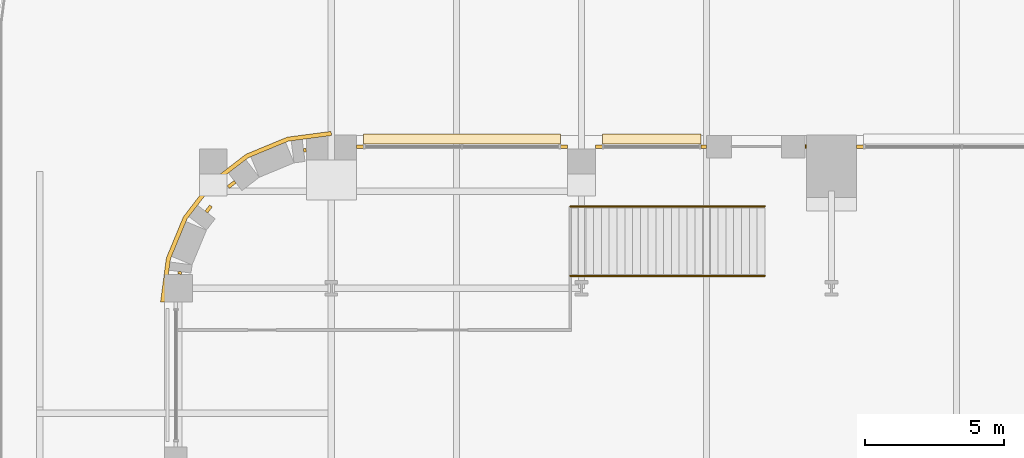
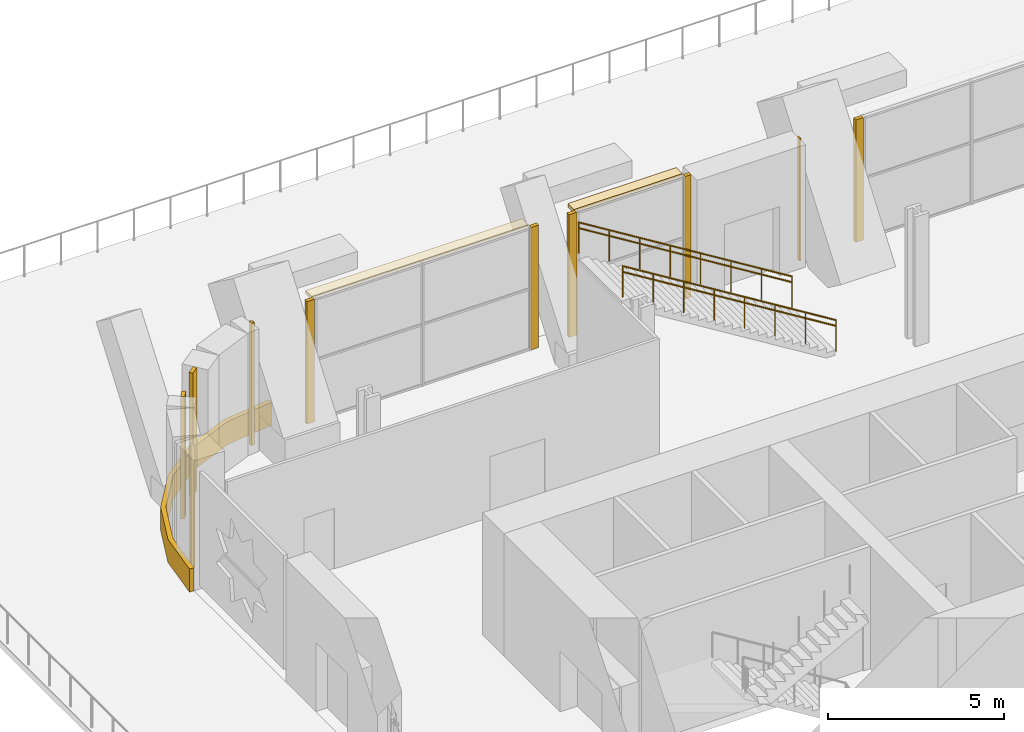
# One storey, part 22 of 26: 13 coverings, 4 railings.
"""IFC4 building model written with IfcOpenShell, lengths in metres."""

from ifc_helpers import new_model, si_unit, direction, frame, origin, origin_2d, place, context, subcontext, project, spatial, polyline, rectangle, circle, outline, extrude, material, layer, layer_set, type_object, element, save


model = new_model("IFC4")

# Units and contexts
model_context = context("Model", 3, precision=1e-05, world=origin(), true_north=direction((0.0, 1.0)))
body_context = subcontext(model_context, "Body", "Model", "MODEL_VIEW")
ifc_project = project(units=[si_unit("LENGTHUNIT", "METRE"), si_unit("AREAUNIT", "SQUARE_METRE"), si_unit("VOLUMEUNIT", "CUBIC_METRE"), si_unit("PLANEANGLEUNIT", "RADIAN"), si_unit("MASSUNIT", "GRAM", prefix="KILO")], contexts=[model_context])

# Site, building, storey
site_placement = place(None, origin())
site = spatial("IfcSite", under=ifc_project, at=site_placement, CompositionType="ELEMENT")
building_placement = place(site_placement, origin())
building = spatial("IfcBuilding", under=site, at=building_placement, Name="Zellij Exchange Tower", CompositionType="ELEMENT")
storey_placement = place(building_placement, frame((0.0, 0.0, 39.0)))
storey = spatial("IfcBuildingStorey", under=building, at=storey_placement, Name="L06", CompositionType="ELEMENT", Elevation=39.0)

# Coverings
ifc_material_1 = material(Name="Limestone cladding", Category="masonry")
ifc_layer_1 = layer(ifc_material_1, 0.14990234375)
ifc_layer_set_1 = layer_set([ifc_layer_1], Name="Limestone cladding")
covering_type_1 = type_object("IfcCoveringType", Name="ENV-CV1 Stone spandrel band 150", PredefinedType="CLADDING", material=ifc_layer_set_1)
covering_1_placement = place(storey_placement, origin())
element("IfcCovering", 1, at=covering_1_placement, inside=storey, type_object=covering_type_1, Name="Stone spandrel band", PredefinedType="CLADDING", context=body_context, shape_type="SweptSolid", body=[
    extrude(outline(polyline([(-27.0, 10.0), (-28.552978515625, 9.795654296875), (-30.0, 9.1962890625), (-31.24267578125, 8.24267578125), (-32.1962890625, 7.0), (-32.795654296875, 5.552978515625), (-33.0, 4.0), (-33.14990234375, 4.009765625), (-32.941650390625, 5.592041015625), (-32.3271484375, 7.07568359375), (-31.349609375, 8.349609375), (-30.07568359375, 9.3271484375), (-28.592041015625, 9.941650390625), (-27.009765625, 10.14990234375), (-27.0, 10.0)])), origin(), (0.0, 0.0, 1.0), 0.800048828125),
])
ifc_layer_2 = layer(ifc_material_1, 0.1201171875)
ifc_layer_set_2 = layer_set([ifc_layer_2], Name="Limestone cladding")
covering_type_2 = type_object("IfcCoveringType", Name="ENV-CV18 Glazing closer 120", PredefinedType="CLADDING", material=ifc_layer_set_2)
covering_2_placement = place(storey_placement, frame((-30.590087890625, 8.239013671875, 0.0), z_axis=(0.0, 0.0, 1.0), x_axis=(-0.793316151692, -0.608809891071, 0.0)))
element("IfcCovering", 2, at=covering_2_placement, inside=storey, type_object=covering_type_2, Name="Glazing closer", PredefinedType="CLADDING", context=body_context, shape_type="SweptSolid", body=[
    extrude(rectangle(XDim=0.310791015625, YDim=0.1201171875, at=origin_2d()), origin(), (0.0, 0.0, 1.0), 4.25),
])
covering_3_placement = place(storey_placement, frame((-31.41943359375, 7.355224609375, 0.0), z_axis=(0.0, 0.0, 1.0), x_axis=(0.608809891071, 0.793316151692, 0.0)))
element("IfcCovering", 3, at=covering_3_placement, inside=storey, type_object=covering_type_2, Name="Glazing closer", PredefinedType="CLADDING", context=body_context, shape_type="SweptSolid", body=[
    extrude(rectangle(XDim=0.27294921875, YDim=0.1201171875, at=origin_2d()), origin(), (0.0, 0.0, 1.0), 4.25),
])
for number, where, z_axis, x_axis, name in (
    (4, (-17.375, 9.60009765625, 0.0), (0.0, 0.0, 1.0), (-1.0, 0.0, 0.0), "Glazing closer"),
    (5, (-18.625, 9.60009765625, 0.0), (0.0, 0.0, 1.0), (1.0, 0.0, 0.0), "Glazing closer"),
    (6, (-25.97509765625, 9.60009765625, 0.0), (0.0, 0.0, 1.0), (-1.0, 0.0, 0.0), "Glazing closer"),
    (7, (-7.97509765625, 9.60009765625, 0.0), (0.0, 0.0, 1.0), (-1.0, 0.0, 0.0), "Glazing closer"),
):
    element("IfcCovering", number, at=place(storey_placement, frame(where, z_axis=z_axis, x_axis=x_axis)), inside=storey, type_object=covering_type_2, Name=name, PredefinedType="CLADDING", context=body_context, shape_type="SweptSolid", body=[
        extrude(rectangle(XDim=0.25, YDim=0.1201171875, at=origin_2d()), origin(), (0.0, 0.0, 1.0), 4.25),
    ])
covering_4_placement = place(storey_placement, frame((-13.60009765625, 9.60009765625, 0.0), z_axis=(0.0, 0.0, 1.0), x_axis=(1.0, 0.0, 0.0)))
element("IfcCovering", 8, at=covering_4_placement, inside=storey, type_object=covering_type_2, Name="Glazing closer", PredefinedType="CLADDING", context=body_context, shape_type="SweptSolid", body=[
    extrude(rectangle(XDim=0.199951171875, YDim=0.1201171875, at=origin_2d()), origin(), (0.0, 0.0, 1.0), 4.25),
])
for number, where, z_axis, x_axis, name in (
    (9, (-27.954833984375, 9.470947265625, 0.0), (0.0, 0.0, 1.0), (0.991448505966, 0.130498505806, 0.0), "Glazing closer"),
    (10, (-32.457763671875, 5.0546875, 0.0), (0.0, 0.0, 1.0), (-0.130498505806, -0.991448505966, 0.0), "Glazing closer"),
):
    element("IfcCovering", number, at=place(storey_placement, frame(where, z_axis=z_axis, x_axis=x_axis)), inside=storey, type_object=covering_type_2, Name=name, PredefinedType="CLADDING", context=body_context, shape_type="SweptSolid", body=[
        extrude(rectangle(XDim=0.0947265625, YDim=0.1201171875, at=origin_2d()), origin(), (0.0, 0.0, 1.0), 4.25),
    ])
covering_5_placement = place(storey_placement, frame((-9.925048828125, 9.60009765625, 0.0), z_axis=(0.0, 0.0, 1.0), x_axis=(1.0, 0.0, 0.0)))
element("IfcCovering", 11, at=covering_5_placement, inside=storey, type_object=covering_type_2, Name="Glazing closer", PredefinedType="CLADDING", context=body_context, shape_type="SweptSolid", body=[
    extrude(rectangle(XDim=0.050048828125, YDim=0.1201171875, at=origin_2d()), origin(), (0.0, 0.0, 1.0), 4.25),
])
ifc_material_2 = material(Name="Limestone sunshade", Category="masonry")
ifc_layer_3 = layer(ifc_material_2, 0.1201171875)
ifc_layer_set_3 = layer_set([ifc_layer_3], Name="Limestone sunshade")
covering_type_3 = type_object("IfcCoveringType", Name="ENV-SC2 Stone sunshade 120", PredefinedType="USERDEFINED", material=ifc_layer_set_3)
covering_6_placement = place(storey_placement, frame((0.0, 0.0, 4.1298828125)))
element("IfcCovering", 12, at=covering_6_placement, inside=storey, type_object=covering_type_3, Name="Stone sunshade", ObjectType="SUNSHADE", PredefinedType="USERDEFINED", context=body_context, shape_type="SweptSolid", body=[
    extrude(outline(polyline([(-13.699951171875, 9.699951171875), (-17.25, 9.699951171875), (-17.25, 10.050048828125), (-13.699951171875, 10.050048828125), (-13.699951171875, 9.699951171875)])), origin(), (0.0, 0.0, 1.0), 0.1201171875),
])
covering_7_placement = place(storey_placement, frame((0.0, 0.0, 4.1298828125)))
element("IfcCovering", 13, at=covering_7_placement, inside=storey, type_object=covering_type_3, Name="Stone sunshade", ObjectType="SUNSHADE", PredefinedType="USERDEFINED", context=body_context, shape_type="SweptSolid", body=[
    extrude(outline(polyline([(-18.75, 9.699951171875), (-25.85009765625, 9.699951171875), (-25.85009765625, 10.050048828125), (-18.75, 10.050048828125), (-18.75, 9.699951171875)])), origin(), (0.0, 0.0, 1.0), 0.1201171875),
])

# Railings
ifc_material_3 = material(Name="Steel and glass guard", Category="steel")
railing_type_1 = type_object("IfcRailingType", Name="FIT-GUARD-1100", PredefinedType="GUARDRAIL", material=ifc_material_3)
for number, where, name in (
    (14, (-11.39990234375, 4.949951171875, 0.173095703125), "Stair guard 001"),
    (15, (-11.39990234375, 7.449951171875, 0.173095703125), "Stair guard 003"),
):
    element("IfcRailing", number, at=place(storey_placement, frame(where)), inside=storey, type_object=railing_type_1, Name=name, PredefinedType="GUARDRAIL", context=body_context, shape_type="SweptSolid", body=[
        extrude(circle(Radius=0.02490234375, at=origin_2d()), frame((0.0, 0.0, 1.0751953125), z_axis=(-0.850614592968, 0.0, 0.525789705328), x_axis=(0.0, -1.0, 0.0)), (0.0, 0.0, 1.0), 8.229248046875),
        extrude(circle(Radius=0.02001953125, at=origin_2d()), origin(), (0.0, 0.0, 1.0), 1.050048828125),
        extrude(circle(Radius=0.02001953125, at=origin_2d()), frame((-1.0, 0.0, 0.6181640625)), (0.0, 0.0, 1.0), 1.050048828125),
        extrude(circle(Radius=0.02001953125, at=origin_2d()), frame((-2.0, 0.0, 1.236328125)), (0.0, 0.0, 1.0), 1.050048828125),
        extrude(circle(Radius=0.02001953125, at=origin_2d()), frame((-3.0, 0.0, 1.8544921875)), (0.0, 0.0, 1.0), 1.050048828125),
        extrude(circle(Radius=0.02001953125, at=origin_2d()), frame((-4.0, 0.0, 2.472412109375)), (0.0, 0.0, 1.0), 1.050048828125),
        extrude(circle(Radius=0.02001953125, at=origin_2d()), frame((-5.0, 0.0, 3.090576171875)), (0.0, 0.0, 1.0), 1.050048828125),
        extrude(circle(Radius=0.02001953125, at=origin_2d()), frame((-6.0, 0.0, 3.708740234375)), (0.0, 0.0, 1.0), 1.050048828125),
        extrude(circle(Radius=0.02001953125, at=origin_2d()), frame((-7.0, 0.0, 4.326904296875)), (0.0, 0.0, 1.0), 1.050048828125),
    ])
ifc_material_4 = material(Name="Stainless steel", Category="steel")
railing_type_2 = type_object("IfcRailingType", Name="FIT-HANDRAIL-900", PredefinedType="HANDRAIL", material=ifc_material_4)
for number, where, name in (
    (16, (-11.39990234375, 4.949951171875, 0.173095703125), "Stair handrail 002"),
    (17, (-11.39990234375, 7.449951171875, 0.173095703125), "Stair handrail 004"),
):
    element("IfcRailing", number, at=place(storey_placement, frame(where)), inside=storey, type_object=railing_type_2, Name=name, PredefinedType="HANDRAIL", context=body_context, shape_type="SweptSolid", body=[
        extrude(circle(Radius=0.02490234375, at=origin_2d()), frame((0.0, 0.0, 0.875), z_axis=(-0.850614592968, 0.0, 0.525789705328), x_axis=(0.0, -1.0, 0.0)), (0.0, 0.0, 1.0), 8.229248046875),
        extrude(circle(Radius=0.02001953125, at=origin_2d()), origin(), (0.0, 0.0, 1.0), 0.849853515625),
        extrude(circle(Radius=0.02001953125, at=origin_2d()), frame((-1.0, 0.0, 0.6181640625)), (0.0, 0.0, 1.0), 0.849853515625),
        extrude(circle(Radius=0.02001953125, at=origin_2d()), frame((-2.0, 0.0, 1.236328125)), (0.0, 0.0, 1.0), 0.849853515625),
        extrude(circle(Radius=0.02001953125, at=origin_2d()), frame((-3.0, 0.0, 1.8544921875)), (0.0, 0.0, 1.0), 0.849853515625),
        extrude(circle(Radius=0.02001953125, at=origin_2d()), frame((-4.0, 0.0, 2.472412109375)), (0.0, 0.0, 1.0), 0.849853515625),
        extrude(circle(Radius=0.02001953125, at=origin_2d()), frame((-5.0, 0.0, 3.090576171875)), (0.0, 0.0, 1.0), 0.849853515625),
        extrude(circle(Radius=0.02001953125, at=origin_2d()), frame((-6.0, 0.0, 3.708740234375)), (0.0, 0.0, 1.0), 0.849853515625),
        extrude(circle(Radius=0.02001953125, at=origin_2d()), frame((-7.0, 0.0, 4.326904296875)), (0.0, 0.0, 1.0), 0.849853515625),
    ])

save(model, "model.ifc")
